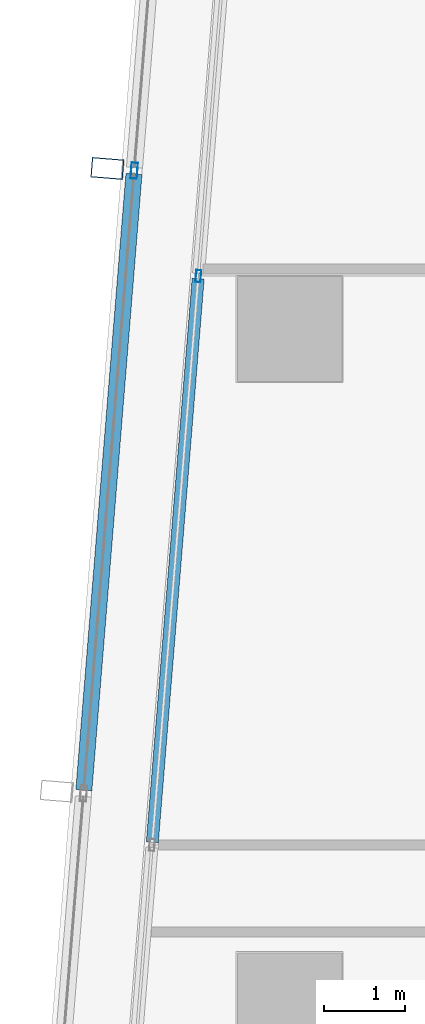
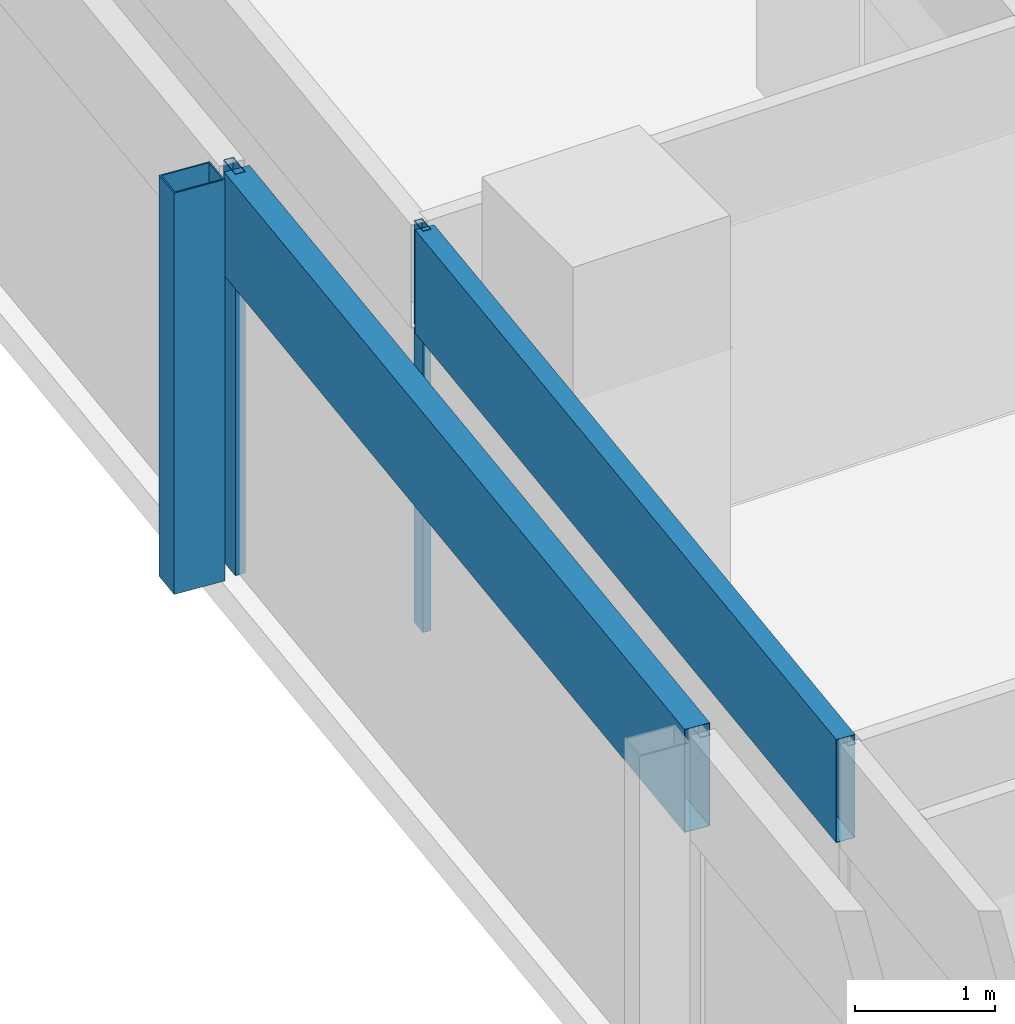
# One storey, part 8 of 29: 5 members, 2 elements without a shape of their own.
"""IFC4 building model written with IfcOpenShell, lengths in metres."""

from ifc_helpers import new_model, si_unit, direction, frame, origin, origin_2d, place, context, subcontext, project, spatial, hollow_rectangle, extrude, material, material_profile, profile_set, type_object, element, aggregate, save


model = new_model("IFC4")

# Units and contexts
model_context = context("Model", 3, precision=1e-05, world=origin(), true_north=direction((0.0, 1.0)))
body_context = subcontext(model_context, "Body", "Model", "MODEL_VIEW")
ifc_project = project(units=[si_unit("LENGTHUNIT", "METRE"), si_unit("AREAUNIT", "SQUARE_METRE"), si_unit("VOLUMEUNIT", "CUBIC_METRE"), si_unit("PLANEANGLEUNIT", "RADIAN"), si_unit("MASSUNIT", "GRAM", prefix="KILO")], contexts=[model_context])

# Site, building, storey
site_placement = place(None, origin())
site = spatial("IfcSite", under=ifc_project, at=site_placement, CompositionType="ELEMENT")
building_placement = place(site_placement, origin())
building = spatial("IfcBuilding", under=site, at=building_placement, Name="Rekha Terrace Tower", CompositionType="ELEMENT")
storey_placement = place(building_placement, frame((0.0, 0.0, 261.35009765625)))
storey = spatial("IfcBuildingStorey", under=building, at=storey_placement, Name="L66", CompositionType="ELEMENT", Elevation=261.35009765625)

# Curtain wall, member
ifc_material_1 = material(Name="Aluminium framing", Category="aluminium")
curtain_wall_type_1 = type_object("IfcCurtainWallType", Name="CW2 double skin outer glazing", PredefinedType="USERDEFINED", material=ifc_material_1)
curtain_wall_1_placement = place(storey_placement, origin())
curtain_wall_1 = element("IfcCurtainWall", 1, at=curtain_wall_1_placement, inside=storey, type_object=curtain_wall_type_1, Name="CW2 double skin outer glazing", ObjectType="DOUBLE SKIN OUTER GLAZING", PredefinedType="USERDEFINED")
ifc_material_2 = material(Name="Steel S355 with fluorocarbon finish", Category="steel")
ifc_material_profile_1 = material_profile(ifc_material_2, hollow_rectangle(XDim=0.25, YDim=0.39990234375, WallThickness=0.012451171875, at=origin_2d()), Name="RHS400x250x12.5")
ifc_profile_set_1 = profile_set([ifc_material_profile_1], Name="Steel S355 with fluorocarbon finish")
member_type_1 = type_object("IfcMemberType", Name="BL1 facade blade RHS 400 x 250", PredefinedType="USERDEFINED", material=ifc_profile_set_1)
member_1_placement = place(storey_placement, frame((6.135498046875, 43.9931640625, 0.0), z_axis=(0.0, 0.0, 1.0), x_axis=(-0.081068747348, -0.996708512156, 0.0)))
member_1 = element("IfcMember", 2, at=member_1_placement, type_object=member_type_1, Name="Facade blade", ObjectType="FACADE BLADE", PredefinedType="USERDEFINED", context=body_context, shape_type="SweptSolid", body=[
    extrude(hollow_rectangle(XDim=0.25, YDim=0.39990234375, WallThickness=0.012451171875, at=origin_2d()), origin(), (0.0, 0.0, 1.0), 3.5),
])

# Curtain wall, members
curtain_wall_type_2 = type_object("IfcCurtainWallType", Name="CW1 double skin inner glazing", PredefinedType="USERDEFINED", material=ifc_material_1)
curtain_wall_2_placement = place(storey_placement, origin())
curtain_wall_2 = element("IfcCurtainWall", 3, at=curtain_wall_2_placement, inside=storey, type_object=curtain_wall_type_2, Name="CW1 double skin inner glazing", ObjectType="DOUBLE SKIN INNER GLAZING", PredefinedType="USERDEFINED")
ifc_material_3 = material(Name="Aluminium mullion section", Category="aluminium")
ifc_material_profile_2 = material_profile(ifc_material_3, hollow_rectangle(XDim=0.06494140625, YDim=0.14990234375, WallThickness=0.00390625, at=origin_2d()), Name="AL RHS 65x150")
ifc_profile_set_2 = profile_set([ifc_material_profile_2], Name="Aluminium mullion section")
member_type_2 = type_object("IfcMemberType", Name="CW1 mullion RHS 65 x 150", PredefinedType="MULLION", material=ifc_profile_set_2)
member_2_placement = place(storey_placement, frame((7.265625, 42.65625, 0.0), z_axis=(0.0, 0.0, 1.0), x_axis=(0.996708580524, -0.081067906781, 0.0)))
member_2 = element("IfcMember", 4, at=member_2_placement, type_object=member_type_2, Name="CW1 mullion 2", PredefinedType="MULLION", context=body_context, shape_type="SweptSolid", body=[
    extrude(hollow_rectangle(XDim=0.06494140625, YDim=0.14990234375, WallThickness=0.00390625, at=origin_2d()), origin(), (0.0, 0.0, 1.0), 3.5),
])
ifc_material_4 = material(Name="Insulated aluminium spandrel box", Category="aluminium")
ifc_material_profile_3 = material_profile(ifc_material_4, hollow_rectangle(XDim=0.14990234375, YDim=0.89990234375, WallThickness=0.0029296875, at=origin_2d()), Name="AL SPANDREL BOX 150x900")
ifc_profile_set_3 = profile_set([ifc_material_profile_3], Name="Insulated aluminium spandrel box")
member_type_3 = type_object("IfcMemberType", Name="CW1 spandrel transom 150 x 900", PredefinedType="USERDEFINED", material=ifc_profile_set_3)
member_3_placement = place(storey_placement, frame((7.26318359375, 42.623779296875, 3.0498046875), z_axis=(-0.081080883426, -0.996707524976, 0.0), x_axis=(0.996707524976, -0.081080883426, 0.0)))
member_3 = element("IfcMember", 5, at=member_3_placement, type_object=member_type_3, Name="CW1 spandrel transom 2", ObjectType="TRANSOM", PredefinedType="USERDEFINED", context=body_context, shape_type="SweptSolid", body=[
    extrude(hollow_rectangle(XDim=0.14990234375, YDim=0.89990234375, WallThickness=0.0029296875, at=origin_2d()), origin(), (0.0, 0.0, 1.0), 7.02490234375),
])
aggregate(curtain_wall_2, [member_2, member_3])

# Member
ifc_material_profile_4 = material_profile(ifc_material_3, hollow_rectangle(XDim=0.080078125, YDim=0.199951171875, WallThickness=0.00390625, at=origin_2d()), Name="AL RHS 80x200")
ifc_profile_set_4 = profile_set([ifc_material_profile_4], Name="Aluminium mullion section")
member_type_4 = type_object("IfcMemberType", Name="CW2 mullion RHS 80 x 200", PredefinedType="MULLION", material=ifc_profile_set_4)
member_4_placement = place(storey_placement, frame((6.46923828125, 43.9658203125, 0.0), z_axis=(0.0, 0.0, 1.0), x_axis=(0.996708580521, -0.081067906816, 0.0)))
member_4 = element("IfcMember", 6, at=member_4_placement, type_object=member_type_4, Name="CW2 mullion 2", PredefinedType="MULLION", context=body_context, shape_type="SweptSolid", body=[
    extrude(hollow_rectangle(XDim=0.080078125, YDim=0.199951171875, WallThickness=0.00390625, at=origin_2d()), origin(), (0.0, 0.0, 1.0), 3.5),
])

ifc_material_profile_5 = material_profile(ifc_material_4, hollow_rectangle(XDim=0.199951171875, YDim=0.89990234375, WallThickness=0.0029296875, at=origin_2d()), Name="AL SPANDREL BOX 200x900")
ifc_profile_set_5 = profile_set([ifc_material_profile_5], Name="Insulated aluminium spandrel box")
member_type_5 = type_object("IfcMemberType", Name="CW2 spandrel transom 200 x 900", PredefinedType="USERDEFINED", material=ifc_profile_set_5)
member_5_placement = place(storey_placement, frame((6.466064453125, 43.926025390625, 3.0498046875), z_axis=(-0.081082991857, -0.996707353455, 0.0), x_axis=(0.996707353455, -0.081082991857, 0.0)))
member_5 = element("IfcMember", 7, at=member_5_placement, type_object=member_type_5, Name="CW2 spandrel transom 2", ObjectType="TRANSOM", PredefinedType="USERDEFINED", context=body_context, shape_type="SweptSolid", body=[
    extrude(hollow_rectangle(XDim=0.199951171875, YDim=0.89990234375, WallThickness=0.0029296875, at=origin_2d()), origin(), (0.0, 0.0, 1.0), 7.68115234375),
])

aggregate(curtain_wall_1, [member_4, member_5, member_1])

save(model, "model.ifc")
